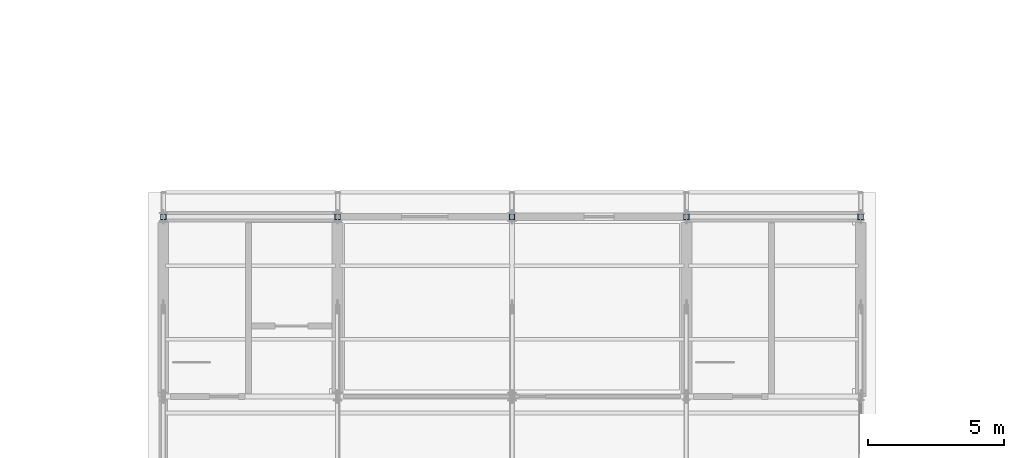
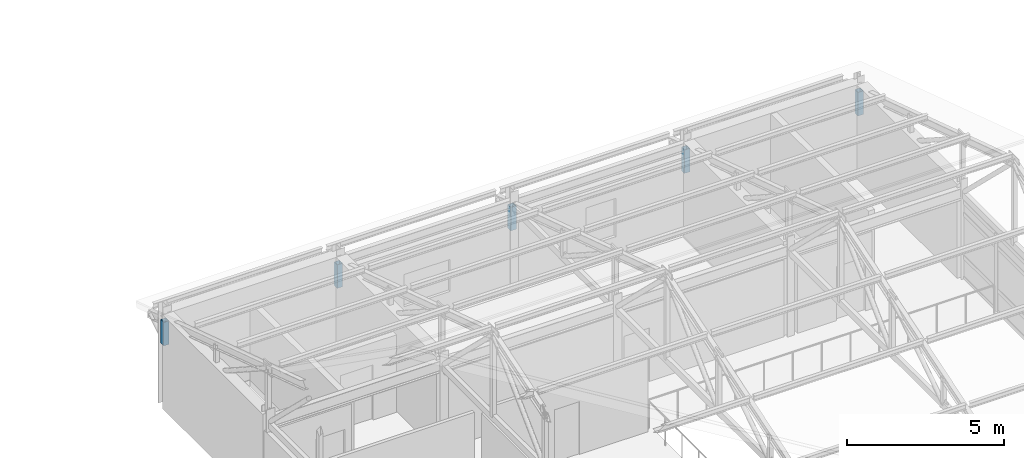
# One storey, part 33 of 57: 5 members.
"""IFC4 building model written with IfcOpenShell, lengths in metres."""

from ifc_helpers import new_model, si_unit, direction, frame, origin, origin_2d, place, context, subcontext, project, spatial, hollow_rectangle, extrude, material, material_profile, profile_set, type_object, element, save


model = new_model("IFC4")

# Units and contexts
model_context = context("Model", 3, precision=1e-05, world=origin(), true_north=direction((0.0, 1.0)))
body_context = subcontext(model_context, "Body", "Model", "MODEL_VIEW")
ifc_project = project(units=[si_unit("LENGTHUNIT", "METRE"), si_unit("AREAUNIT", "SQUARE_METRE"), si_unit("VOLUMEUNIT", "CUBIC_METRE"), si_unit("PLANEANGLEUNIT", "RADIAN"), si_unit("MASSUNIT", "GRAM", prefix="KILO")], contexts=[model_context])

# Site, building, storey
site_placement = place(None, origin())
site = spatial("IfcSite", under=ifc_project, at=site_placement, CompositionType="ELEMENT")
building_placement = place(site_placement, origin())
building = spatial("IfcBuilding", under=site, at=building_placement, Name="Trelmorton Wharf Fire Station", CompositionType="ELEMENT")
storey_placement = place(building_placement, frame((0.0, 0.0, 13.5)))
storey = spatial("IfcBuildingStorey", under=building, at=storey_placement, Name="L03", CompositionType="ELEMENT", Elevation=13.5)

# Members
ifc_material = material(Name="Steel C350L0 (350 MPa)", Category="steel")
ifc_material_profile = material_profile(ifc_material, hollow_rectangle(XDim=0.199951171875, YDim=0.199951171875, WallThickness=0.010009765625, at=origin_2d()), Name="200x200x10.0SHS")
ifc_profile_set = profile_set([ifc_material_profile], Name="Steel C350L0 (350 MPa)")
member_type = type_object("IfcMemberType", Name="TR_POST_200SHS", PredefinedType="POST", material=ifc_profile_set)
for number, where, z_axis, x_axis, name in (
    (1, (58.0, 27.60009765625, 2.35009765625), (0.0, 0.0, 1.0), (1.0, 0.0, 0.0), "V3-TR01-SHN"),
    (2, (64.39990234375, 27.60009765625, 2.35009765625), (0.0, 0.0, 1.0), (1.0, 0.0, 0.0), "V3-TR02-SHN"),
    (3, (70.800048828125, 27.60009765625, 2.35009765625), (0.0, 0.0, 1.0), (1.0, 0.0, 0.0), "V3-TR03-SHN"),
    (4, (77.199951171875, 27.60009765625, 2.35009765625), (0.0, 0.0, 1.0), (1.0, 0.0, 0.0), "V3-TR04-SHN"),
    (5, (83.60009765625, 27.60009765625, 2.35009765625), (0.0, 0.0, 1.0), (1.0, 0.0, 0.0), "V3-TR05-SHN"),
):
    element("IfcMember", number, at=place(storey_placement, frame(where, z_axis=z_axis, x_axis=x_axis)), inside=storey, type_object=member_type, Name=name, PredefinedType="POST", context=body_context, shape_type="SweptSolid", body=[
        extrude(hollow_rectangle(XDim=0.199951171875, YDim=0.199951171875, WallThickness=0.010009765625, at=origin_2d()), origin(), (0.0, 0.0, 1.0), 0.915771484375),
    ])

save(model, "model.ifc")
